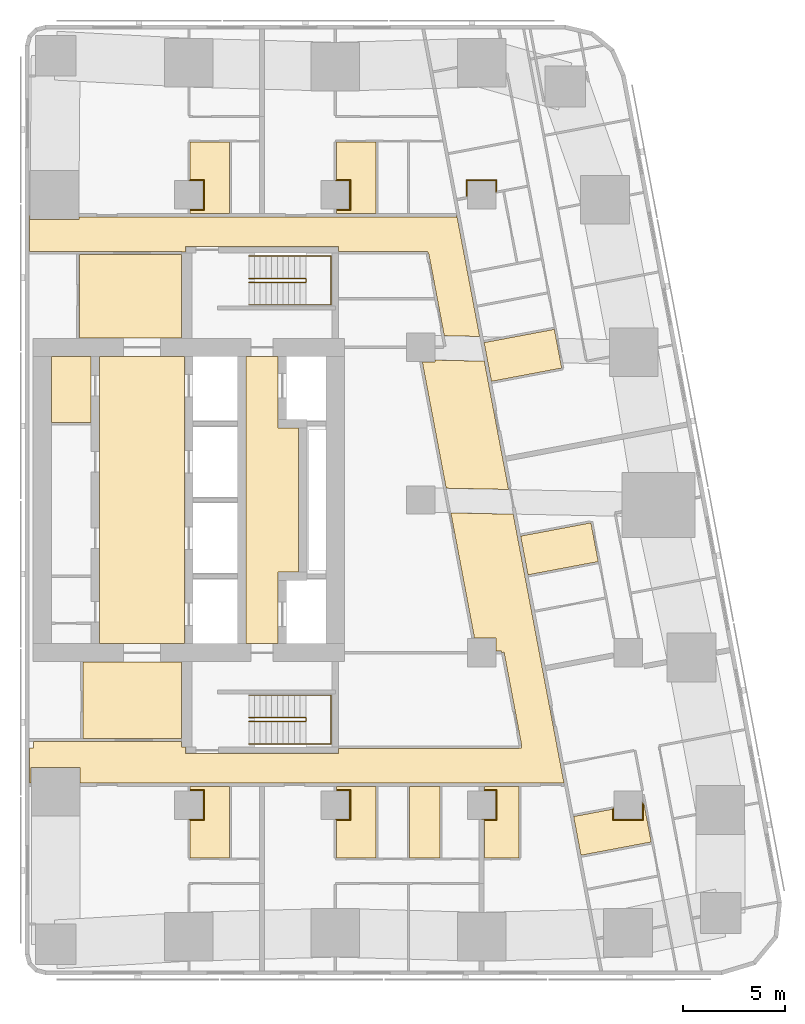
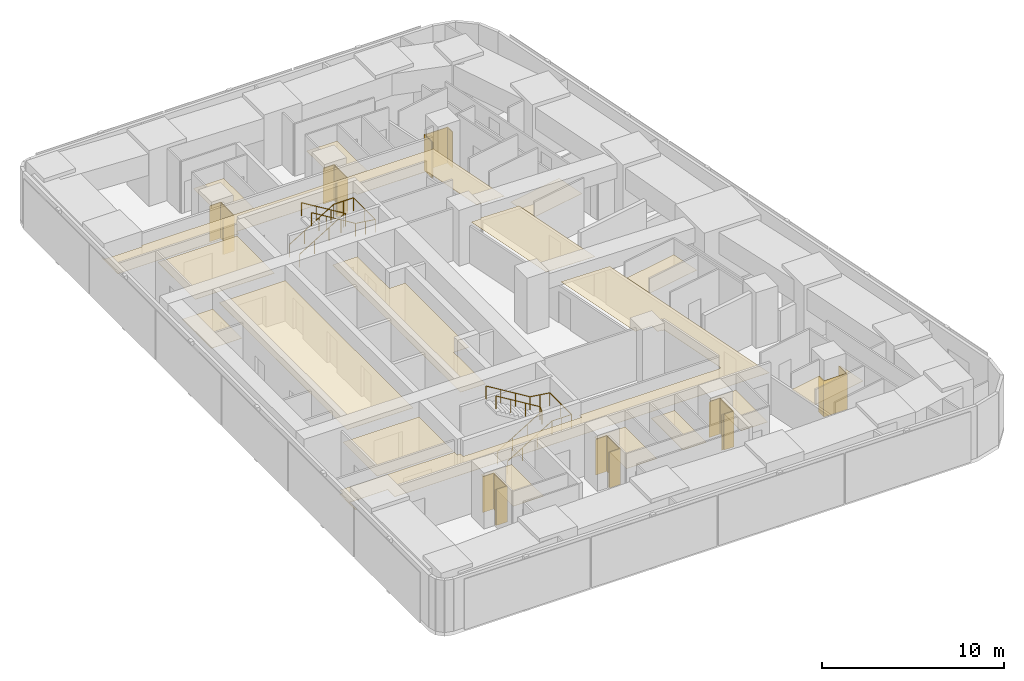
# One storey, part 10 of 10: 24 coverings, 4 railings.
"""IFC4 building model written with IfcOpenShell, lengths in metres."""

from ifc_helpers import new_model, si_unit, direction, frame, origin, origin_2d, place, context, subcontext, project, spatial, polyline, circle, outline, extrude, material, layer, layer_set, type_object, element, save


model = new_model("IFC4")

# Units and contexts
model_context = context("Model", 3, precision=1e-05, world=origin(), true_north=direction((0.0, 1.0)))
body_context = subcontext(model_context, "Body", "Model", "MODEL_VIEW")
ifc_project = project(units=[si_unit("LENGTHUNIT", "METRE"), si_unit("AREAUNIT", "SQUARE_METRE"), si_unit("VOLUMEUNIT", "CUBIC_METRE"), si_unit("PLANEANGLEUNIT", "RADIAN"), si_unit("MASSUNIT", "GRAM", prefix="KILO")], contexts=[model_context])

# Site, building, storey
site_placement = place(None, origin())
site = spatial("IfcSite", under=ifc_project, at=site_placement, CompositionType="ELEMENT")
building_placement = place(site_placement, origin())
building = spatial("IfcBuilding", under=site, at=building_placement, Name="Sheger Commons Tower", CompositionType="ELEMENT")
storey_placement = place(building_placement, frame((0.0, 0.0, 231.199951171875)))
storey = spatial("IfcBuildingStorey", under=building, at=storey_placement, Name="L59", CompositionType="ELEMENT", Elevation=231.199951171875)

# Railings
ifc_material_1 = material(Name="Steel handrail, black powder-coated", Category="steel")
railing_type = type_object("IfcRailingType", Name="HANDRAIL 900", PredefinedType="HANDRAIL", material=ifc_material_1)
railing_1_placement = place(storey_placement, frame((24.550048828125, 11.60009765625, 0.17041015625)))
element("IfcRailing", 1, at=railing_1_placement, inside=storey, type_object=railing_type, Name="Stair S1 handrail L59", PredefinedType="HANDRAIL", context=body_context, shape_type="SweptSolid", body=[
    extrude(circle(Radius=0.02392578125, at=origin_2d()), frame((0.0, 0.0, 0.8759765625), z_axis=(0.854169791009, 0.0, 0.51999420009), x_axis=(0.0, 1.0, 0.0)), (0.0, 0.0, 1.0), 3.278076171875),
    extrude(circle(Radius=0.02392578125, at=origin_2d()), frame((2.800048828125, 0.0, 2.58056640625), z_axis=(0.0, 0.761090297175, 0.648645943136), x_axis=(-1.0, 0.0, 0.0)), (0.0, 0.0, 1.0), 0.2626953125),
    extrude(circle(Radius=0.02392578125, at=origin_2d()), frame((2.800048828125, 0.199951171875, 2.7509765625), z_axis=(-0.854169791009, 0.0, 0.51999420009), x_axis=(0.0, -1.0, 0.0)), (0.0, 0.0, 1.0), 3.278076171875),
    extrude(circle(Radius=0.02099609375, at=origin_2d()), origin(), (0.0, 0.0, 1.0), 0.851806640625),
    extrude(circle(Radius=0.02099609375, at=origin_2d()), frame((0.933349609375, 0.0, 0.568115234375)), (0.0, 0.0, 1.0), 0.851806640625),
    extrude(circle(Radius=0.02099609375, at=origin_2d()), frame((1.86669921875, 0.0, 1.136474609375)), (0.0, 0.0, 1.0), 0.851806640625),
    extrude(circle(Radius=0.02099609375, at=origin_2d()), frame((2.800048828125, 0.0, 1.70458984375)), (0.0, 0.0, 1.0), 0.851806640625),
    extrude(circle(Radius=0.02099609375, at=origin_2d()), frame((2.800048828125, 0.199951171875, 1.875)), (0.0, 0.0, 1.0), 0.851806640625),
    extrude(circle(Radius=0.02099609375, at=origin_2d()), frame((1.86669921875, 0.199951171875, 2.443115234375)), (0.0, 0.0, 1.0), 0.851806640625),
    extrude(circle(Radius=0.02099609375, at=origin_2d()), frame((0.933349609375, 0.199951171875, 3.011474609375)), (0.0, 0.0, 1.0), 0.851806640625),
    extrude(circle(Radius=0.02099609375, at=origin_2d()), frame((0.0, 0.199951171875, 3.57958984375)), (0.0, 0.0, 1.0), 0.851806640625),
])
railing_2_placement = place(storey_placement, frame((24.550048828125, 10.5, 0.17041015625)))
element("IfcRailing", 2, at=railing_2_placement, inside=storey, type_object=railing_type, Name="Stair S1 handrail L59", PredefinedType="HANDRAIL", context=body_context, shape_type="SweptSolid", body=[
    extrude(circle(Radius=0.02392578125, at=origin_2d()), frame((0.0, 0.0, 0.8759765625), z_axis=(0.854169791009, 0.0, 0.51999420009), x_axis=(0.0, 1.0, 0.0)), (0.0, 0.0, 1.0), 3.278076171875),
    extrude(circle(Radius=0.02392578125, at=origin_2d()), frame((2.800048828125, 0.0, 2.58056640625), z_axis=(1.0, 0.0, 0.0), x_axis=(0.0, 1.0, 0.0)), (0.0, 0.0, 1.0), 1.25),
    extrude(circle(Radius=0.02392578125, at=origin_2d()), frame((4.050048828125, 0.0, 2.58056640625), z_axis=(0.0, 1.0, 0.0), x_axis=(-1.0, 0.0, 0.0)), (0.0, 0.0, 1.0), 2.39990234375),
    extrude(circle(Radius=0.02392578125, at=origin_2d()), frame((4.050048828125, 2.39990234375, 2.58056640625), z_axis=(-0.990834877927, 0.0, 0.135078661092), x_axis=(0.0, -1.0, 0.0)), (0.0, 0.0, 1.0), 1.261474609375),
    extrude(circle(Radius=0.02392578125, at=origin_2d()), frame((2.800048828125, 2.39990234375, 2.7509765625), z_axis=(-0.854169791009, 0.0, 0.51999420009), x_axis=(0.0, -1.0, 0.0)), (0.0, 0.0, 1.0), 3.278076171875),
    extrude(circle(Radius=0.02099609375, at=origin_2d()), origin(), (0.0, 0.0, 1.0), 0.851806640625),
    extrude(circle(Radius=0.02099609375, at=origin_2d()), frame((0.933349609375, 0.0, 0.568115234375)), (0.0, 0.0, 1.0), 0.851806640625),
    extrude(circle(Radius=0.02099609375, at=origin_2d()), frame((1.86669921875, 0.0, 1.136474609375)), (0.0, 0.0, 1.0), 0.851806640625),
    extrude(circle(Radius=0.02099609375, at=origin_2d()), frame((2.800048828125, 0.0, 1.70458984375)), (0.0, 0.0, 1.0), 0.851806640625),
    extrude(circle(Radius=0.02099609375, at=origin_2d()), frame((3.425048828125, 0.0, 1.70458984375)), (0.0, 0.0, 1.0), 0.851806640625),
    extrude(circle(Radius=0.02099609375, at=origin_2d()), frame((4.050048828125, 0.0, 1.70458984375)), (0.0, 0.0, 1.0), 0.851806640625),
    extrude(circle(Radius=0.02099609375, at=origin_2d()), frame((4.050048828125, 1.199951171875, 1.70458984375)), (0.0, 0.0, 1.0), 0.851806640625),
    extrude(circle(Radius=0.02099609375, at=origin_2d()), frame((4.050048828125, 2.39990234375, 1.70458984375)), (0.0, 0.0, 1.0), 0.851806640625),
    extrude(circle(Radius=0.02099609375, at=origin_2d()), frame((3.425048828125, 2.39990234375, 1.789794921875)), (0.0, 0.0, 1.0), 0.851806640625),
    extrude(circle(Radius=0.02099609375, at=origin_2d()), frame((2.800048828125, 2.39990234375, 1.875)), (0.0, 0.0, 1.0), 0.851806640625),
    extrude(circle(Radius=0.02099609375, at=origin_2d()), frame((1.86669921875, 2.39990234375, 2.443115234375)), (0.0, 0.0, 1.0), 0.851806640625),
    extrude(circle(Radius=0.02099609375, at=origin_2d()), frame((0.933349609375, 2.39990234375, 3.011474609375)), (0.0, 0.0, 1.0), 0.851806640625),
    extrude(circle(Radius=0.02099609375, at=origin_2d()), frame((0.0, 2.39990234375, 3.57958984375)), (0.0, 0.0, 1.0), 0.851806640625),
])
railing_3_placement = place(storey_placement, frame((24.550048828125, 33.39990234375, 0.17041015625)))
element("IfcRailing", 3, at=railing_3_placement, inside=storey, type_object=railing_type, Name="Stair S2 handrail L59", PredefinedType="HANDRAIL", context=body_context, shape_type="SweptSolid", body=[
    extrude(circle(Radius=0.02392578125, at=origin_2d()), frame((0.0, 0.0, 0.8759765625), z_axis=(0.854169791009, 0.0, 0.51999420009), x_axis=(0.0, 1.0, 0.0)), (0.0, 0.0, 1.0), 3.278076171875),
    extrude(circle(Radius=0.02392578125, at=origin_2d()), frame((2.800048828125, 0.0, 2.58056640625), z_axis=(0.0, -0.761090297175, 0.648645943136), x_axis=(1.0, 0.0, 0.0)), (0.0, 0.0, 1.0), 0.2626953125),
    extrude(circle(Radius=0.02392578125, at=origin_2d()), frame((2.800048828125, -0.199951171875, 2.7509765625), z_axis=(-0.854169791009, 0.0, 0.51999420009), x_axis=(0.0, -1.0, 0.0)), (0.0, 0.0, 1.0), 3.278076171875),
    extrude(circle(Radius=0.02099609375, at=origin_2d()), origin(), (0.0, 0.0, 1.0), 0.851806640625),
    extrude(circle(Radius=0.02099609375, at=origin_2d()), frame((0.933349609375, 0.0, 0.568115234375)), (0.0, 0.0, 1.0), 0.851806640625),
    extrude(circle(Radius=0.02099609375, at=origin_2d()), frame((1.86669921875, 0.0, 1.136474609375)), (0.0, 0.0, 1.0), 0.851806640625),
    extrude(circle(Radius=0.02099609375, at=origin_2d()), frame((2.800048828125, 0.0, 1.70458984375)), (0.0, 0.0, 1.0), 0.851806640625),
    extrude(circle(Radius=0.02099609375, at=origin_2d()), frame((2.800048828125, -0.199951171875, 1.875)), (0.0, 0.0, 1.0), 0.851806640625),
    extrude(circle(Radius=0.02099609375, at=origin_2d()), frame((1.86669921875, -0.199951171875, 2.443115234375)), (0.0, 0.0, 1.0), 0.851806640625),
    extrude(circle(Radius=0.02099609375, at=origin_2d()), frame((0.933349609375, -0.199951171875, 3.011474609375)), (0.0, 0.0, 1.0), 0.851806640625),
    extrude(circle(Radius=0.02099609375, at=origin_2d()), frame((0.0, -0.199951171875, 3.57958984375)), (0.0, 0.0, 1.0), 0.851806640625),
])
railing_4_placement = place(storey_placement, frame((24.550048828125, 34.5, 0.17041015625)))
element("IfcRailing", 4, at=railing_4_placement, inside=storey, type_object=railing_type, Name="Stair S2 handrail L59", PredefinedType="HANDRAIL", context=body_context, shape_type="SweptSolid", body=[
    extrude(circle(Radius=0.02392578125, at=origin_2d()), frame((0.0, 0.0, 0.8759765625), z_axis=(0.854169791009, 0.0, 0.51999420009), x_axis=(0.0, 1.0, 0.0)), (0.0, 0.0, 1.0), 3.278076171875),
    extrude(circle(Radius=0.02392578125, at=origin_2d()), frame((2.800048828125, 0.0, 2.58056640625), z_axis=(1.0, 0.0, 0.0), x_axis=(0.0, 1.0, 0.0)), (0.0, 0.0, 1.0), 1.25),
    extrude(circle(Radius=0.02392578125, at=origin_2d()), frame((4.050048828125, 0.0, 2.58056640625), z_axis=(0.0, -1.0, 0.0), x_axis=(1.0, 0.0, 0.0)), (0.0, 0.0, 1.0), 2.39990234375),
    extrude(circle(Radius=0.02392578125, at=origin_2d()), frame((4.050048828125, -2.39990234375, 2.58056640625), z_axis=(-0.990834877927, 0.0, 0.135078661092), x_axis=(0.0, -1.0, 0.0)), (0.0, 0.0, 1.0), 1.261474609375),
    extrude(circle(Radius=0.02392578125, at=origin_2d()), frame((2.800048828125, -2.39990234375, 2.7509765625), z_axis=(-0.854169791009, 0.0, 0.51999420009), x_axis=(0.0, -1.0, 0.0)), (0.0, 0.0, 1.0), 3.278076171875),
    extrude(circle(Radius=0.02099609375, at=origin_2d()), origin(), (0.0, 0.0, 1.0), 0.851806640625),
    extrude(circle(Radius=0.02099609375, at=origin_2d()), frame((0.933349609375, 0.0, 0.568115234375)), (0.0, 0.0, 1.0), 0.851806640625),
    extrude(circle(Radius=0.02099609375, at=origin_2d()), frame((1.86669921875, 0.0, 1.136474609375)), (0.0, 0.0, 1.0), 0.851806640625),
    extrude(circle(Radius=0.02099609375, at=origin_2d()), frame((2.800048828125, 0.0, 1.70458984375)), (0.0, 0.0, 1.0), 0.851806640625),
    extrude(circle(Radius=0.02099609375, at=origin_2d()), frame((3.425048828125, 0.0, 1.70458984375)), (0.0, 0.0, 1.0), 0.851806640625),
    extrude(circle(Radius=0.02099609375, at=origin_2d()), frame((4.050048828125, 0.0, 1.70458984375)), (0.0, 0.0, 1.0), 0.851806640625),
    extrude(circle(Radius=0.02099609375, at=origin_2d()), frame((4.050048828125, -1.199951171875, 1.70458984375)), (0.0, 0.0, 1.0), 0.851806640625),
    extrude(circle(Radius=0.02099609375, at=origin_2d()), frame((4.050048828125, -2.39990234375, 1.70458984375)), (0.0, 0.0, 1.0), 0.851806640625),
    extrude(circle(Radius=0.02099609375, at=origin_2d()), frame((3.425048828125, -2.39990234375, 1.789794921875)), (0.0, 0.0, 1.0), 0.851806640625),
    extrude(circle(Radius=0.02099609375, at=origin_2d()), frame((2.800048828125, -2.39990234375, 1.875)), (0.0, 0.0, 1.0), 0.851806640625),
    extrude(circle(Radius=0.02099609375, at=origin_2d()), frame((1.86669921875, -2.39990234375, 2.443115234375)), (0.0, 0.0, 1.0), 0.851806640625),
    extrude(circle(Radius=0.02099609375, at=origin_2d()), frame((0.933349609375, -2.39990234375, 3.011474609375)), (0.0, 0.0, 1.0), 0.851806640625),
    extrude(circle(Radius=0.02099609375, at=origin_2d()), frame((0.0, -2.39990234375, 3.57958984375)), (0.0, 0.0, 1.0), 0.851806640625),
])

# Coverings
ifc_material_2 = material(Name="Moisture-resistant gypsum plasterboard 15 mm on a suspended galvanised steel grid", Category="steel")
ifc_layer_1 = layer(ifc_material_2, 0.014892578125)
ifc_layer_set_1 = layer_set([ifc_layer_1], Name="MOISTURE-RESISTANT CEILING 15")
covering_type_1 = type_object("IfcCoveringType", Name="MOISTURE-RESISTANT CEILING 15", PredefinedType="CEILING", material=ifc_layer_set_1)
covering_1_placement = place(storey_placement, frame((0.0, 0.0, 2.400146484375)))
element("IfcCovering", 5, at=covering_1_placement, inside=storey, type_object=covering_type_1, Name="L59-01.B1 ceiling", PredefinedType="CEILING", context=body_context, shape_type="SweptSolid", body=[
    extrude(outline(polyline([(21.655029296875, 4.905029296875), (23.594970703125, 4.905029296875), (23.594970703125, 8.419921875), (21.655029296875, 8.419921875), (21.655029296875, 8.205078125), (22.304931640625, 8.205078125), (22.304931640625, 6.794921875), (21.655029296875, 6.794921875), (21.655029296875, 4.905029296875)])), origin(), (0.0, 0.0, 1.0), 0.014892578125),
])
covering_2_placement = place(storey_placement, frame((0.0, 0.0, 2.400146484375)))
element("IfcCovering", 6, at=covering_2_placement, inside=storey, type_object=covering_type_1, Name="L59-02.B1 ceiling", PredefinedType="CEILING", context=body_context, shape_type="SweptSolid", body=[
    extrude(outline(polyline([(28.85498046875, 4.905029296875), (30.794921875, 4.905029296875), (30.794921875, 8.419921875), (28.85498046875, 8.419921875), (28.85498046875, 8.205078125), (29.5048828125, 8.205078125), (29.5048828125, 6.794921875), (28.85498046875, 6.794921875), (28.85498046875, 4.905029296875)])), origin(), (0.0, 0.0, 1.0), 0.014892578125),
])
covering_3_placement = place(storey_placement, frame((0.0, 0.0, 2.400146484375)))
element("IfcCovering", 7, at=covering_3_placement, inside=storey, type_object=covering_type_1, Name="L59-02.B2 ceiling", PredefinedType="CEILING", context=body_context, shape_type="SweptSolid", body=[
    extrude(outline(polyline([(32.455078125, 4.905029296875), (33.945068359375, 4.905029296875), (33.945068359375, 8.419921875), (32.455078125, 8.419921875), (32.455078125, 4.905029296875)])), origin(), (0.0, 0.0, 1.0), 0.014892578125),
])
covering_4_placement = place(storey_placement, frame((0.0, 0.0, 2.400146484375)))
element("IfcCovering", 8, at=covering_4_placement, inside=storey, type_object=covering_type_1, Name="L59-03.B1 ceiling", PredefinedType="CEILING", context=body_context, shape_type="SweptSolid", body=[
    extrude(outline(polyline([(36.1298828125, 4.905029296875), (37.8349609375, 4.905029296875), (37.8349609375, 8.419921875), (36.1298828125, 8.419921875), (36.1298828125, 8.205078125), (36.705078125, 8.205078125), (36.705078125, 6.794921875), (36.1298828125, 6.794921875), (36.1298828125, 4.905029296875)])), origin(), (0.0, 0.0, 1.0), 0.014892578125),
])
covering_5_placement = place(storey_placement, frame((0.0, 0.0, 2.400146484375)))
element("IfcCovering", 9, at=covering_5_placement, inside=storey, type_object=covering_type_1, Name="L59-04.B1 ceiling", PredefinedType="CEILING", context=body_context, shape_type="SweptSolid", body=[
    extrude(outline(polyline([(36.47900390625, 28.3330078125), (39.93310546875, 28.986083984375), (39.572998046875, 30.89208984375), (36.118896484375, 30.239013671875), (36.47900390625, 28.3330078125)])), origin(), (0.0, 0.0, 1.0), 0.014892578125),
])
covering_6_placement = place(storey_placement, frame((0.0, 0.0, 2.400146484375)))
element("IfcCovering", 10, at=covering_6_placement, inside=storey, type_object=covering_type_1, Name="L59-05.B1 ceiling", PredefinedType="CEILING", context=body_context, shape_type="SweptSolid", body=[
    extrude(outline(polyline([(38.27587890625, 18.819091796875), (41.72998046875, 19.470947265625), (41.3701171875, 21.3779296875), (37.916015625, 20.72607421875), (38.27587890625, 18.819091796875)])), origin(), (0.0, 0.0, 1.0), 0.014892578125),
])
covering_7_placement = place(storey_placement, frame((0.0, 0.0, 2.400146484375)))
element("IfcCovering", 11, at=covering_7_placement, inside=storey, type_object=covering_type_1, Name="L59-06.B1 ceiling", PredefinedType="CEILING", context=body_context, shape_type="SweptSolid", body=[
    extrude(outline(polyline([(40.8798828125, 5.031982421875), (44.333984375, 5.68408203125), (43.97412109375, 7.591064453125), (43.9150390625, 7.580078125), (43.906982421875, 7.623046875), (43.905029296875, 7.623046875), (43.905029296875, 6.794921875), (42.4951171875, 6.794921875), (42.4951171875, 7.31103515625), (40.52001953125, 6.93798828125), (40.8798828125, 5.031982421875)])), origin(), (0.0, 0.0, 1.0), 0.014892578125),
])
covering_8_placement = place(storey_placement, frame((0.0, 0.0, 2.400146484375)))
element("IfcCovering", 12, at=covering_8_placement, inside=storey, type_object=covering_type_1, Name="L59-07.B1 ceiling", PredefinedType="CEILING", context=body_context, shape_type="SweptSolid", body=[
    extrude(outline(polyline([(21.655029296875, 36.580078125), (23.594970703125, 36.580078125), (23.594970703125, 40.094970703125), (21.655029296875, 40.094970703125), (21.655029296875, 38.205078125), (22.304931640625, 38.205078125), (22.304931640625, 36.794921875), (21.655029296875, 36.794921875), (21.655029296875, 36.580078125)])), origin(), (0.0, 0.0, 1.0), 0.014892578125),
])
covering_9_placement = place(storey_placement, frame((0.0, 0.0, 2.400146484375)))
element("IfcCovering", 13, at=covering_9_placement, inside=storey, type_object=covering_type_1, Name="L59-08.B1 ceiling", PredefinedType="CEILING", context=body_context, shape_type="SweptSolid", body=[
    extrude(outline(polyline([(28.85498046875, 36.580078125), (30.794921875, 36.580078125), (30.794921875, 40.094970703125), (28.85498046875, 40.094970703125), (28.85498046875, 38.205078125), (29.5048828125, 38.205078125), (29.5048828125, 36.794921875), (28.85498046875, 36.794921875), (28.85498046875, 36.580078125)])), origin(), (0.0, 0.0, 1.0), 0.014892578125),
])
covering_10_placement = place(storey_placement, frame((0.0, 0.0, 2.400146484375)))
element("IfcCovering", 14, at=covering_10_placement, inside=storey, type_object=covering_type_1, Name="L59-CRB3 ceiling", PredefinedType="CEILING", context=body_context, shape_type="SweptSolid", body=[
    extrude(outline(polyline([(14.85498046875, 26.31689453125), (16.794921875, 26.31689453125), (16.794921875, 29.544921875), (14.85498046875, 29.544921875), (14.85498046875, 26.31689453125)])), origin(), (0.0, 0.0, 1.0), 0.014892578125),
])
ifc_material_3 = material(Name="Gypsum plasterboard 15 mm on a suspended steel grid", Category="steel")
ifc_layer_2 = layer(ifc_material_3, 0.014892578125)
ifc_layer_set_2 = layer_set([ifc_layer_2], Name="SUSPENDED CEILING 15")
covering_type_2 = type_object("IfcCoveringType", Name="SUSPENDED CEILING 15", PredefinedType="CEILING", material=ifc_layer_set_2)
covering_11_placement = place(storey_placement, frame((0.0, 0.0, 2.699951171875)))
element("IfcCovering", 15, at=covering_11_placement, inside=storey, type_object=covering_type_2, Name="L59-CO ceiling", PredefinedType="CEILING", context=body_context, shape_type="SweptSolid", body=[
    extrude(outline(polyline([(13.7548828125, 8.580078125), (13.84912109375, 8.580078125), (13.84912109375, 9.35888671875), (16.259033203125, 9.35888671875), (16.259033203125, 8.580078125), (40.047119140625, 8.580078125), (37.550048828125, 21.802978515625), (34.48291015625, 21.864990234375), (35.64306640625, 15.720947265625), (35.60595703125, 15.714111328125), (35.60791015625, 15.705078125), (36.705078125, 15.705078125), (36.705078125, 15.068115234375), (36.97802734375, 15.068115234375), (36.97802734375, 14.9951171875), (37.09912109375, 15.01708984375), (37.967041015625, 10.4208984375), (37.949951171875, 10.4169921875), (37.971923828125, 10.300048828125), (37.841064453125, 10.300048828125), (37.841064453125, 10.281982421875), (28.955078125, 10.281982421875), (28.955078125, 10.044921875), (21.445068359375, 10.044921875), (21.445068359375, 10.344970703125), (21.2451171875, 10.344970703125), (21.2451171875, 10.632080078125), (13.9599609375, 10.632080078125), (13.9599609375, 10.300048828125), (13.7548828125, 10.300048828125), (13.7548828125, 8.580078125)])), origin(), (0.0, 0.0, 1.0), 0.01513671875),
])
covering_12_placement = place(storey_placement, frame((0.0, 0.0, 2.699951171875)))
element("IfcCovering", 16, at=covering_12_placement, inside=storey, type_object=covering_type_2, Name="L59-CO ceiling", PredefinedType="CEILING", context=body_context, shape_type="SweptSolid", body=[
    extrude(outline(polyline([(37.321044921875, 23.01806640625), (36.12890625, 29.323974609375), (33.705078125, 29.37890625), (33.705078125, 29.294921875), (33.0791015625, 29.294921875), (34.2529296875, 23.080078125), (37.321044921875, 23.01806640625)])), origin(), (0.0, 0.0, 1.0), 0.01513671875),
])
covering_13_placement = place(storey_placement, frame((0.0, 0.0, 2.699951171875)))
element("IfcCovering", 17, at=covering_13_placement, inside=storey, type_object=covering_type_2, Name="L59-CO ceiling", PredefinedType="CEILING", context=body_context, shape_type="SweptSolid", body=[
    extrude(outline(polyline([(35.89990234375, 30.5400390625), (34.77392578125, 36.5), (34.77001953125, 36.5), (34.77001953125, 36.419921875), (16.205078125, 36.419921875), (16.205078125, 36.294921875), (13.794921875, 36.294921875), (13.794921875, 36.5), (13.7548828125, 36.5), (13.7548828125, 34.718017578125), (21.2548828125, 34.718017578125), (21.2548828125, 34.699951171875), (21.445068359375, 34.699951171875), (21.445068359375, 34.955078125), (28.955078125, 34.955078125), (28.955078125, 34.718017578125), (33.3359375, 34.718017578125), (33.3359375, 34.699951171875), (33.363037109375, 34.699951171875), (33.381103515625, 34.60205078125), (33.39892578125, 34.60498046875), (34.159912109375, 30.5791015625), (35.89990234375, 30.5400390625)])), origin(), (0.0, 0.0, 1.0), 0.01513671875),
])
covering_14_placement = place(storey_placement, frame((0.0, 0.0, 2.699951171875)))
element("IfcCovering", 18, at=covering_14_placement, inside=storey, type_object=covering_type_2, Name="L59-SVS1 ceiling", PredefinedType="CEILING", context=body_context, shape_type="SweptSolid", body=[
    extrude(outline(polyline([(16.406982421875, 10.76806640625), (21.2451171875, 10.76806640625), (21.2451171875, 14.544921875), (16.406982421875, 14.544921875), (16.406982421875, 10.76806640625)])), origin(), (0.0, 0.0, 1.0), 0.01513671875),
])
covering_15_placement = place(storey_placement, frame((0.0, 0.0, 2.699951171875)))
element("IfcCovering", 19, at=covering_15_placement, inside=storey, type_object=covering_type_2, Name="L59-SVN1 ceiling", PredefinedType="CEILING", context=body_context, shape_type="SweptSolid", body=[
    extrude(outline(polyline([(16.217041015625, 30.455078125), (21.2451171875, 30.455078125), (21.2451171875, 34.58203125), (16.217041015625, 34.58203125), (16.217041015625, 30.455078125)])), origin(), (0.0, 0.0, 1.0), 0.01513671875),
])
covering_16_placement = place(storey_placement, frame((0.0, 0.0, 2.699951171875)))
element("IfcCovering", 20, at=covering_16_placement, inside=storey, type_object=covering_type_2, Name="L59-LL ceiling", PredefinedType="CEILING", context=body_context, shape_type="SweptSolid", body=[
    extrude(outline(polyline([(17.205078125, 15.455078125), (21.39990234375, 15.455078125), (21.39990234375, 29.544921875), (17.205078125, 29.544921875), (17.205078125, 15.455078125)])), origin(), (0.0, 0.0, 1.0), 0.01513671875),
])
covering_17_placement = place(storey_placement, frame((0.0, 0.0, 2.699951171875)))
element("IfcCovering", 21, at=covering_17_placement, inside=storey, type_object=covering_type_2, Name="L59-FL ceiling", PredefinedType="CEILING", context=body_context, shape_type="SweptSolid", body=[
    extrude(outline(polyline([(24.405029296875, 15.455078125), (25.9951171875, 15.455078125), (25.9951171875, 18.955078125), (26.9951171875, 18.955078125), (26.9951171875, 26.044921875), (25.9951171875, 26.044921875), (25.9951171875, 29.544921875), (24.405029296875, 29.544921875), (24.405029296875, 15.455078125)])), origin(), (0.0, 0.0, 1.0), 0.01513671875),
])
ifc_material_4 = material(Name="Moisture-resistant gypsum board 12.5 mm on 25 mm treated timber battens, tanked and tiled", Category="wood")
ifc_layer_3 = layer(ifc_material_4, 0.050048828125)
ifc_layer_set_3 = layer_set([ifc_layer_3], Name="WET-ROOM COLUMN LINING")
covering_type_3 = type_object("IfcCoveringType", Name="WET-ROOM COLUMN LINING", PredefinedType="CLADDING", material=ifc_layer_set_3)
covering_18_placement = place(storey_placement, origin())
element("IfcCovering", 22, at=covering_18_placement, inside=storey, type_object=covering_type_3, Name="Bathroom column lining C11 L59", PredefinedType="CLADDING", context=body_context, shape_type="SweptSolid", body=[
    extrude(outline(polyline([(22.35009765625, 6.75), (21.64990234375, 6.75), (21.64990234375, 6.799072265625), (21.60009765625, 6.799072265625), (21.60009765625, 6.800048828125), (22.300048828125, 6.800048828125), (22.300048828125, 8.199951171875), (21.60009765625, 8.199951171875), (21.60009765625, 8.200927734375), (21.64990234375, 8.200927734375), (21.64990234375, 8.25), (22.35009765625, 8.25), (22.35009765625, 6.75)])), origin(), (0.0, 0.0, 1.0), 2.400146484375),
])
covering_19_placement = place(storey_placement, origin())
element("IfcCovering", 23, at=covering_19_placement, inside=storey, type_object=covering_type_3, Name="Bathroom column lining C11 L59", PredefinedType="CLADDING", context=body_context, shape_type="SweptSolid", body=[
    extrude(outline(polyline([(29.550048828125, 6.75), (28.85009765625, 6.75), (28.85009765625, 6.799072265625), (28.800048828125, 6.799072265625), (28.800048828125, 6.800048828125), (29.5, 6.800048828125), (29.5, 8.199951171875), (28.800048828125, 8.199951171875), (28.800048828125, 8.200927734375), (28.85009765625, 8.200927734375), (28.85009765625, 8.25), (29.550048828125, 8.25), (29.550048828125, 6.75)])), origin(), (0.0, 0.0, 1.0), 2.400146484375),
])
covering_20_placement = place(storey_placement, origin())
element("IfcCovering", 24, at=covering_20_placement, inside=storey, type_object=covering_type_3, Name="Shower room column lining C11 L59", PredefinedType="CLADDING", context=body_context, shape_type="SweptSolid", body=[
    extrude(outline(polyline([(36.75, 6.75), (36.125, 6.75), (36.125, 6.799072265625), (36.0, 6.799072265625), (36.0, 6.800048828125), (36.699951171875, 6.800048828125), (36.699951171875, 8.199951171875), (36.0, 8.199951171875), (36.0, 8.200927734375), (36.125, 8.200927734375), (36.125, 8.25), (36.75, 8.25), (36.75, 6.75)])), origin(), (0.0, 0.0, 1.0), 2.400146484375),
])
covering_21_placement = place(storey_placement, origin())
element("IfcCovering", 25, at=covering_21_placement, inside=storey, type_object=covering_type_3, Name="Bathroom column lining C11 L59", PredefinedType="CLADDING", context=body_context, shape_type="SweptSolid", body=[
    extrude(outline(polyline([(42.5, 7.367919921875), (42.5, 6.800048828125), (43.89990234375, 6.800048828125), (43.89990234375, 7.633056640625), (43.909912109375, 7.635009765625), (43.9189453125, 7.5859375), (43.949951171875, 7.592041015625), (43.949951171875, 6.75), (42.449951171875, 6.75), (42.449951171875, 7.30810546875), (42.4990234375, 7.31689453125), (42.489990234375, 7.365966796875), (42.5, 7.367919921875)])), origin(), (0.0, 0.0, 1.0), 2.400146484375),
])
covering_22_placement = place(storey_placement, origin())
element("IfcCovering", 26, at=covering_22_placement, inside=storey, type_object=covering_type_3, Name="Bathroom column lining C11 L59", PredefinedType="CLADDING", context=body_context, shape_type="SweptSolid", body=[
    extrude(outline(polyline([(22.35009765625, 36.75), (21.64990234375, 36.75), (21.64990234375, 36.799072265625), (21.60009765625, 36.799072265625), (21.60009765625, 36.800048828125), (22.300048828125, 36.800048828125), (22.300048828125, 38.199951171875), (21.60009765625, 38.199951171875), (21.60009765625, 38.200927734375), (21.64990234375, 38.200927734375), (21.64990234375, 38.25), (22.35009765625, 38.25), (22.35009765625, 36.75)])), origin(), (0.0, 0.0, 1.0), 2.400146484375),
])
covering_23_placement = place(storey_placement, origin())
element("IfcCovering", 27, at=covering_23_placement, inside=storey, type_object=covering_type_3, Name="Bathroom column lining C11 L59", PredefinedType="CLADDING", context=body_context, shape_type="SweptSolid", body=[
    extrude(outline(polyline([(29.550048828125, 36.75), (28.85009765625, 36.75), (28.85009765625, 36.799072265625), (28.800048828125, 36.799072265625), (28.800048828125, 36.800048828125), (29.5, 36.800048828125), (29.5, 38.199951171875), (28.800048828125, 38.199951171875), (28.800048828125, 38.200927734375), (28.85009765625, 38.200927734375), (28.85009765625, 38.25), (29.550048828125, 38.25), (29.550048828125, 36.75)])), origin(), (0.0, 0.0, 1.0), 2.400146484375),
])
covering_24_placement = place(storey_placement, origin())
element("IfcCovering", 28, at=covering_24_placement, inside=storey, type_object=covering_type_3, Name="Laundry room column lining C11 L59", PredefinedType="CLADDING", context=body_context, shape_type="SweptSolid", body=[
    extrude(outline(polyline([(36.75, 38.25), (36.75, 37.69189453125), (36.700927734375, 37.68310546875), (36.7099609375, 37.635009765625), (36.699951171875, 37.633056640625), (36.699951171875, 38.199951171875), (35.300048828125, 38.199951171875), (35.300048828125, 37.367919921875), (35.2900390625, 37.365966796875), (35.281005859375, 37.4150390625), (35.25, 37.408935546875), (35.25, 38.25), (36.75, 38.25)])), origin(), (0.0, 0.0, 1.0), 2.400146484375),
])

save(model, "model.ifc")
